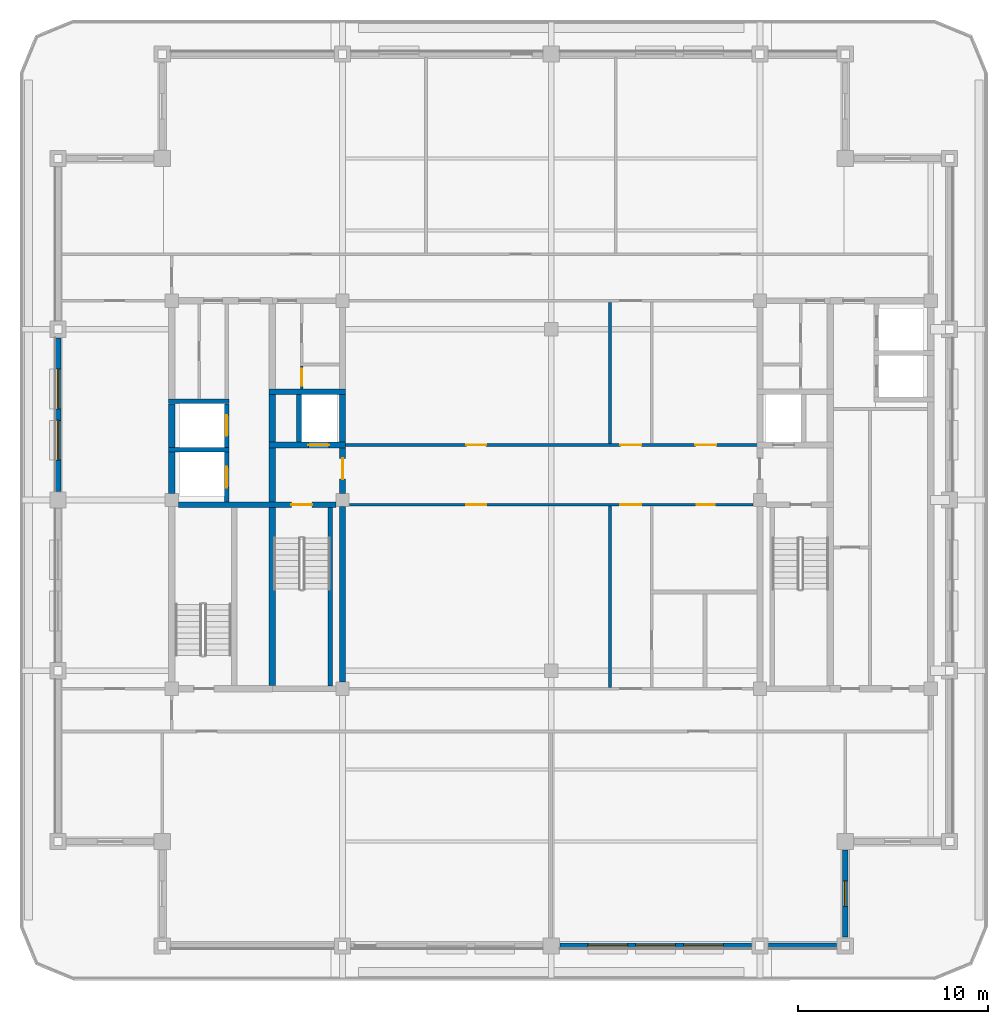
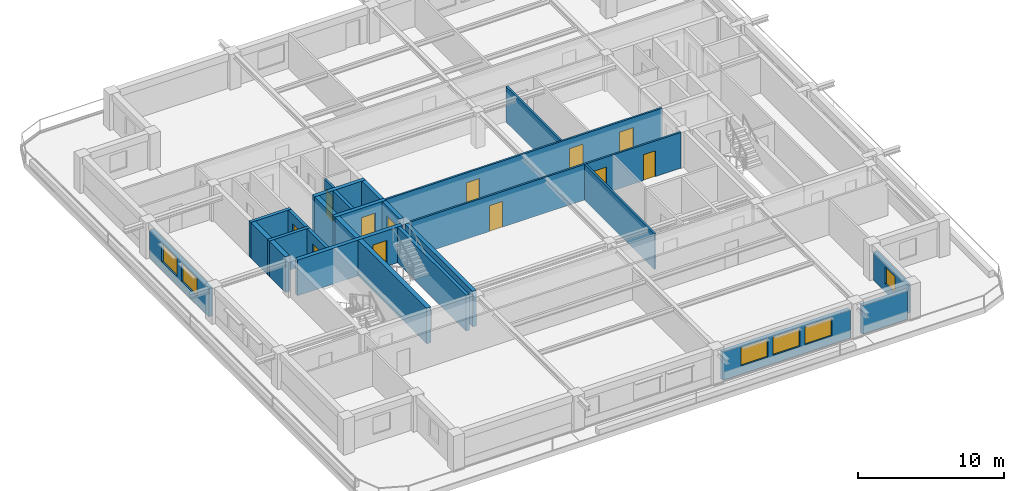
# One storey, part 3 of 11: 26 walls, 12 doors, 6 windows, 18 openings.
"""IFC4 building model written with IfcOpenShell, lengths in metres."""

from ifc_helpers import new_model, si_unit, direction, frame, frame_2d, origin, place, context, subcontext, project, spatial, rectangle, extrude, material, layer, layer_set, type_object, element, fill, save


model = new_model("IFC4")

# Units and contexts
model_context = context("Model", 3, precision=1e-05, world=origin(), true_north=direction((0.0, 1.0)))
body_context = subcontext(model_context, "Body", "Model", "MODEL_VIEW")
ifc_project = project(units=[si_unit("LENGTHUNIT", "METRE"), si_unit("AREAUNIT", "SQUARE_METRE"), si_unit("VOLUMEUNIT", "CUBIC_METRE"), si_unit("PLANEANGLEUNIT", "RADIAN"), si_unit("MASSUNIT", "GRAM", prefix="KILO")], contexts=[model_context])

# Site, building, storey
site_placement = place(None, origin())
site = spatial("IfcSite", under=ifc_project, at=site_placement, CompositionType="ELEMENT")
building_placement = place(site_placement, origin())
building = spatial("IfcBuilding", under=site, at=building_placement, Name="Zulmaris Gate Convention Tower", CompositionType="ELEMENT")
storey_placement = place(building_placement, frame((0.0, 0.0, 260.889892578125)))
storey = spatial("IfcBuildingStorey", under=building, at=storey_placement, Name="L69", CompositionType="ELEMENT", Elevation=260.889892578125)

# Walls
ifc_material_1 = material(Name="Concrete C50/60", Category="concrete")
ifc_layer_1 = layer(ifc_material_1, 0.25, Name="Concrete C50/60")
ifc_layer_set_1 = layer_set([ifc_layer_1], Name="Concrete C50/60")
wall_type_1 = type_object("IfcWallType", Name="CORE-250", PredefinedType="SOLIDWALL", material=ifc_layer_set_1)
for number, where, z_axis, x_axis, name in (
    (1, (-20.175048828125, 2.64990234375, 0.0), (0.0, 0.0, 1.0), (1.0, 0.0, 0.0), "WL-L69-007"),
    (2, (-20.175048828125, 5.199951171875, 0.0), (0.0, 0.0, 1.0), (1.0, 0.0, 0.0), "WL-L69-010"),
):
    element("IfcWall", number, at=place(storey_placement, frame(where, z_axis=z_axis, x_axis=x_axis)), inside=storey, type_object=wall_type_1, Name=name, PredefinedType="SOLIDWALL", context=body_context, shape_type="SweptSolid", body=[
        extrude(rectangle(XDim=3.199951171875, YDim=0.25, at=frame_2d((1.60009765625, 0.0))), origin(), (0.0, 0.0, 1.0), 2.97998046875),
    ])

# Wall, opening, door
wall_1_placement = place(storey_placement, frame((-17.10009765625, -0.097900390625, 0.0), z_axis=(0.0, 0.0, 1.0), x_axis=(0.0, 1.0, 0.0)))
wall_1 = element("IfcWall", 3, at=wall_1_placement, inside=storey, type_object=wall_type_1, Name="WL-L69-036", PredefinedType="SOLIDWALL", context=body_context, shape_type="SweptSolid", body=[
    extrude(rectangle(XDim=2.620849609375, YDim=0.25, at=frame_2d((1.310546875, 0.0))), origin(), (0.0, 0.0, 1.0), 2.97998046875),
])
opening_1_placement = place(wall_1_placement, frame((0.748046875, 0.0, 0.0)))
opening_1 = element("IfcOpeningElement", 4, at=opening_1_placement, cuts=wall_1, Name="Opening D-06", PredefinedType="OPENING", context=body_context, shape_type="SweptSolid", body=[
    extrude(rectangle(XDim=1.10009765625, YDim=2.199951171875, at=frame_2d((0.550048828125, 1.10009765625))), frame((0.0, 0.135009765625, 0.0), z_axis=(0.0, -1.0, 0.0), x_axis=(1.0, 0.0, 0.0)), (0.0, 0.0, 1.0), 0.27001953125),
])
ifc_material_2 = material(Name="Brushed Stainless Steel", Category="steel")
door_type_1 = type_object("IfcDoorType", Name="LD-1100", OperationType="NOTDEFINED", PredefinedType="DOOR", material=ifc_material_2)
door_1_placement = place(opening_1_placement, origin())
door_1 = element("IfcDoor", 5, at=door_1_placement, inside=storey, type_object=door_type_1, Name="L69 Lift Landing Door HP-03 14", OperationType="SLIDING_TO_LEFT", OverallHeight=2.199951171875, OverallWidth=1.10009765625, PredefinedType="DOOR", context=body_context, shape_type="SweptSolid", body=[
    extrude(rectangle(XDim=1.10009765625, YDim=2.199951171875, at=frame_2d((0.550048828125, 1.10009765625))), frame((0.0, 0.02490234375, 0.0), z_axis=(0.0, -1.0, 0.0), x_axis=(1.0, 0.0, 0.0)), (0.0, 0.0, 1.0), 0.050048828125),
])
fill(opening_1, door_1)

wall_2_placement = place(storey_placement, frame((-17.10009765625, 2.777099609375, 0.0), z_axis=(0.0, 0.0, 1.0), x_axis=(0.0, 1.0, 0.0)))
wall_2 = element("IfcWall", 6, at=wall_2_placement, inside=storey, type_object=wall_type_1, Name="WL-L69-037", PredefinedType="SOLIDWALL", context=body_context, shape_type="SweptSolid", body=[
    extrude(rectangle(XDim=2.2958984375, YDim=0.25, at=frame_2d((1.14794921875, 0.0))), origin(), (0.0, 0.0, 1.0), 2.97998046875),
])
opening_2_placement = place(wall_2_placement, frame((0.597900390625, 0.0, 0.0)))
opening_2 = element("IfcOpeningElement", 7, at=opening_2_placement, cuts=wall_2, Name="Opening D-06", PredefinedType="OPENING", context=body_context, shape_type="SweptSolid", body=[
    extrude(rectangle(XDim=1.10009765625, YDim=2.199951171875, at=frame_2d((0.550048828125, 1.10009765625))), frame((0.0, 0.135009765625, 0.0), z_axis=(0.0, -1.0, 0.0), x_axis=(1.0, 0.0, 0.0)), (0.0, 0.0, 1.0), 0.27001953125),
])
door_2_placement = place(opening_2_placement, origin())
door_2 = element("IfcDoor", 8, at=door_2_placement, inside=storey, type_object=door_type_1, Name="L69 Lift Landing Door HP-04 15", OperationType="SLIDING_TO_LEFT", OverallHeight=2.199951171875, OverallWidth=1.10009765625, PredefinedType="DOOR", context=body_context, shape_type="SweptSolid", body=[
    extrude(rectangle(XDim=1.10009765625, YDim=2.199951171875, at=frame_2d((0.550048828125, 1.10009765625))), frame((0.0, 0.02490234375, 0.0), z_axis=(0.0, -1.0, 0.0), x_axis=(1.0, 0.0, 0.0)), (0.0, 0.0, 1.0), 0.050048828125),
])
fill(opening_2, door_2)

# Walls
wall_3_placement = place(storey_placement, frame((-13.300048828125, 3.052001953125, 0.0), z_axis=(0.0, 0.0, 1.0), x_axis=(0.0, 1.0, 0.0)))
element("IfcWall", 9, at=wall_3_placement, inside=storey, type_object=wall_type_1, Name="WL-L69-043", PredefinedType="SOLIDWALL", context=body_context, shape_type="SweptSolid", body=[
    extrude(rectangle(XDim=2.49609375, YDim=0.25, at=frame_2d((1.248046875, 0.0))), origin(), (0.0, 0.0, 1.0), 2.97998046875),
])
wall_4_placement = place(storey_placement, frame((-11.64990234375, -9.798095703125, 0.0), z_axis=(0.0, 0.0, 1.0), x_axis=(0.0, 1.0, 0.0)))
element("IfcWall", 10, at=wall_4_placement, inside=storey, type_object=wall_type_1, Name="WL-L69-044", PredefinedType="SOLIDWALL", context=body_context, shape_type="SweptSolid", body=[
    extrude(rectangle(XDim=9.39599609375, YDim=0.25, at=frame_2d((4.697998046875, 0.0))), origin(), (0.0, 0.0, 1.0), 2.97998046875),
])

# Wall, opening, door
ifc_layer_2 = layer(ifc_material_1, 0.300048828125, Name="Concrete C50/60")
ifc_layer_set_2 = layer_set([ifc_layer_2], Name="Concrete C50/60")
wall_type_2 = type_object("IfcWallType", Name="CORE-300", PredefinedType="SHEAR", material=ifc_layer_set_2)
wall_5_placement = place(storey_placement, frame((-19.64599609375, -0.25, 0.0), z_axis=(0.0, 0.0, 1.0), x_axis=(1.0, 0.0, 0.0)))
wall_5 = element("IfcWall", 11, at=wall_5_placement, inside=storey, type_object=wall_type_2, Name="WL-L69-005", PredefinedType="SHEAR", context=body_context, shape_type="SweptSolid", body=[
    extrude(rectangle(XDim=8.2919921875, YDim=0.300048828125, at=frame_2d((4.14599609375, 0.0))), origin(), (0.0, 0.0, 1.0), 2.97998046875),
])
opening_3_placement = place(wall_5_placement, frame((5.946044921875, 0.0, 0.0)))
opening_3 = element("IfcOpeningElement", 12, at=opening_3_placement, cuts=wall_5, Name="Opening D-08", PredefinedType="OPENING", context=body_context, shape_type="SweptSolid", body=[
    extrude(rectangle(XDim=1.10009765625, YDim=2.14990234375, at=frame_2d((0.550048828125, 1.074951171875))), frame((0.0, 0.16015625, 0.0), z_axis=(0.0, -1.0, 0.0), x_axis=(1.0, 0.0, 0.0)), (0.0, 0.0, 1.0), 0.320068359375),
])
ifc_material_3 = material(Name="Fire-Rated Steel", Category="steel")
door_type_2 = type_object("IfcDoorType", Name="DR-1100-FD", OperationType="NOTDEFINED", PredefinedType="DOOR", material=ifc_material_3)
door_3_placement = place(opening_3_placement, origin())
door_3 = element("IfcDoor", 13, at=door_3_placement, inside=storey, type_object=door_type_2, Name="L69 Exit Stair ST-1 Door 01", OperationType="SINGLE_SWING_RIGHT", OverallHeight=2.14990234375, OverallWidth=1.10009765625, PredefinedType="DOOR", context=body_context, shape_type="SweptSolid", body=[
    extrude(rectangle(XDim=1.10009765625, YDim=2.14990234375, at=frame_2d((0.550048828125, 1.074951171875))), frame((0.0, 0.02490234375, 0.0), z_axis=(0.0, -1.0, 0.0), x_axis=(1.0, 0.0, 0.0)), (0.0, 0.0, 1.0), 0.050048828125),
])
fill(opening_3, door_3)

wall_6_placement = place(storey_placement, frame((-14.875, 2.89990234375, 0.0), z_axis=(0.0, 0.0, 1.0), x_axis=(1.0, 0.0, 0.0)))
wall_6 = element("IfcWall", 14, at=wall_6_placement, inside=storey, type_object=wall_type_2, Name="WL-L69-008", PredefinedType="SHEAR", context=body_context, shape_type="SweptSolid", body=[
    extrude(rectangle(XDim=4.02490234375, YDim=0.300048828125, at=frame_2d((2.012451171875, 0.0))), origin(), (0.0, 0.0, 1.0), 2.97998046875),
])
opening_4_placement = place(wall_6_placement, frame((2.074951171875, 0.0, 0.0)))
opening_4 = element("IfcOpeningElement", 15, at=opening_4_placement, cuts=wall_6, Name="Opening D-06", PredefinedType="OPENING", context=body_context, shape_type="SweptSolid", body=[
    extrude(rectangle(XDim=1.10009765625, YDim=2.199951171875, at=frame_2d((0.550048828125, 1.10009765625))), frame((0.0, 0.16015625, 0.0), z_axis=(0.0, -1.0, 0.0), x_axis=(1.0, 0.0, 0.0)), (0.0, 0.0, 1.0), 0.320068359375),
])
door_4_placement = place(opening_4_placement, origin())
door_4 = element("IfcDoor", 16, at=door_4_placement, inside=storey, type_object=door_type_1, Name="L69 Lift Landing Door LF-01 03", OperationType="SLIDING_TO_LEFT", OverallHeight=2.199951171875, OverallWidth=1.10009765625, PredefinedType="DOOR", context=body_context, shape_type="SweptSolid", body=[
    extrude(rectangle(XDim=1.10009765625, YDim=2.199951171875, at=frame_2d((0.550048828125, 1.10009765625))), frame((0.0, 0.02490234375, 0.0), z_axis=(0.0, -1.0, 0.0), x_axis=(1.0, 0.0, 0.0)), (0.0, 0.0, 1.0), 0.050048828125),
])
fill(opening_4, door_4)

# Walls
wall_7_placement = place(storey_placement, frame((-14.875, 5.699951171875, 0.0), z_axis=(0.0, 0.0, 1.0), x_axis=(1.0, 0.0, 0.0)))
element("IfcWall", 17, at=wall_7_placement, inside=storey, type_object=wall_type_2, Name="WL-L69-012", PredefinedType="SHEAR", context=body_context, shape_type="SweptSolid", body=[
    extrude(rectangle(XDim=4.02490234375, YDim=0.300048828125, at=frame_2d((2.012451171875, 0.0))), origin(), (0.0, 0.0, 1.0), 2.97998046875),
])
wall_8_placement = place(storey_placement, frame((-11.0, -9.595947265625, 0.0), z_axis=(0.0, 0.0, 1.0), x_axis=(0.0, 1.0, 0.0)))
element("IfcWall", 18, at=wall_8_placement, inside=storey, type_object=wall_type_2, Name="WL-L69-045", PredefinedType="SHEAR", context=body_context, shape_type="SweptSolid", body=[
    extrude(rectangle(XDim=9.241943359375, YDim=0.300048828125, at=frame_2d((4.62109375, 0.0))), origin(), (0.0, 0.0, 1.0), 2.97998046875),
])

# Wall, opening, door
wall_9_placement = place(storey_placement, frame((-11.0, 0.35400390625, 0.0), z_axis=(0.0, 0.0, 1.0), x_axis=(0.0, 1.0, 0.0)))
wall_9 = element("IfcWall", 19, at=wall_9_placement, inside=storey, type_object=wall_type_2, Name="WL-L69-046", PredefinedType="SHEAR", context=body_context, shape_type="SweptSolid", body=[
    extrude(rectangle(XDim=2.39404296875, YDim=0.300048828125, at=frame_2d((1.197021484375, 0.0))), origin(), (0.0, 0.0, 1.0), 2.97998046875),
])
opening_5_placement = place(wall_9_placement, frame((0.74609375, 0.0, 0.0)))
opening_5 = element("IfcOpeningElement", 20, at=opening_5_placement, cuts=wall_9, Name="Opening D-08", PredefinedType="OPENING", context=body_context, shape_type="SweptSolid", body=[
    extrude(rectangle(XDim=1.10009765625, YDim=2.14990234375, at=frame_2d((0.550048828125, 1.074951171875))), frame((0.0, 0.16015625, 0.0), z_axis=(0.0, -1.0, 0.0), x_axis=(1.0, 0.0, 0.0)), (0.0, 0.0, 1.0), 0.320068359375),
])
door_5_placement = place(opening_5_placement, origin())
door_5 = element("IfcDoor", 21, at=door_5_placement, inside=storey, type_object=door_type_2, Name="L69 West Firefighting Lobby Door 02", OperationType="SINGLE_SWING_LEFT", OverallHeight=2.14990234375, OverallWidth=1.10009765625, PredefinedType="DOOR", context=body_context, shape_type="SweptSolid", body=[
    extrude(rectangle(XDim=1.10009765625, YDim=2.14990234375, at=frame_2d((0.550048828125, 1.074951171875))), frame((0.0, 0.02490234375, 0.0), z_axis=(0.0, -1.0, 0.0), x_axis=(1.0, 0.0, 0.0)), (0.0, 0.0, 1.0), 0.050048828125),
])
fill(opening_5, door_5)

# Walls
wall_10_placement = place(storey_placement, frame((-11.0, 3.052001953125, 0.0), z_axis=(0.0, 0.0, 1.0), x_axis=(0.0, 1.0, 0.0)))
element("IfcWall", 22, at=wall_10_placement, inside=storey, type_object=wall_type_2, Name="WL-L69-047", PredefinedType="SHEAR", context=body_context, shape_type="SweptSolid", body=[
    extrude(rectangle(XDim=2.49609375, YDim=0.300048828125, at=frame_2d((1.248046875, 0.0))), origin(), (0.0, 0.0, 1.0), 2.97998046875),
])
ifc_material_4 = material(Name="Concrete C55/67", Category="concrete")
ifc_layer_3 = layer(ifc_material_4, 0.35009765625, Name="Concrete C55/67")
ifc_layer_set_3 = layer_set([ifc_layer_3], Name="Concrete C55/67")
wall_type_3 = type_object("IfcWallType", Name="CORE-350", PredefinedType="SHEAR", material=ifc_layer_set_3)
wall_11_placement = place(storey_placement, frame((-20.0, 0.35400390625, 0.0), z_axis=(0.0, 0.0, 1.0), x_axis=(0.0, 1.0, 0.0)))
element("IfcWall", 23, at=wall_11_placement, inside=storey, type_object=wall_type_3, Name="WL-L69-033", PredefinedType="SHEAR", context=body_context, shape_type="SweptSolid", body=[
    extrude(rectangle(XDim=2.1689453125, YDim=0.35009765625, at=frame_2d((1.08447265625, 0.0))), origin(), (0.0, 0.0, 1.0), 2.97998046875),
])
wall_12_placement = place(storey_placement, frame((-20.0, 2.777099609375, 0.0), z_axis=(0.0, 0.0, 1.0), x_axis=(0.0, 1.0, 0.0)))
element("IfcWall", 24, at=wall_12_placement, inside=storey, type_object=wall_type_3, Name="WL-L69-034", PredefinedType="SHEAR", context=body_context, shape_type="SweptSolid", body=[
    extrude(rectangle(XDim=2.2958984375, YDim=0.35009765625, at=frame_2d((1.14794921875, 0.0))), origin(), (0.0, 0.0, 1.0), 2.97998046875),
])
wall_13_placement = place(storey_placement, frame((-14.699951171875, -9.77294921875, 0.0), z_axis=(0.0, 0.0, 1.0), x_axis=(0.0, 1.0, 0.0)))
element("IfcWall", 25, at=wall_13_placement, inside=storey, type_object=wall_type_3, Name="WL-L69-039", PredefinedType="SHEAR", context=body_context, shape_type="SweptSolid", body=[
    extrude(rectangle(XDim=9.370849609375, YDim=0.35009765625, at=frame_2d((4.685546875, 0.0))), origin(), (0.0, 0.0, 1.0), 2.97998046875),
])
wall_14_placement = place(storey_placement, frame((-14.699951171875, -0.097900390625, 0.0), z_axis=(0.0, 0.0, 1.0), x_axis=(0.0, 1.0, 0.0)))
element("IfcWall", 26, at=wall_14_placement, inside=storey, type_object=wall_type_3, Name="WL-L69-040", PredefinedType="SHEAR", context=body_context, shape_type="SweptSolid", body=[
    extrude(rectangle(XDim=2.845947265625, YDim=0.35009765625, at=frame_2d((1.4228515625, 0.0))), origin(), (0.0, 0.0, 1.0), 2.97998046875),
])
wall_15_placement = place(storey_placement, frame((-14.699951171875, 3.052001953125, 0.0), z_axis=(0.0, 0.0, 1.0), x_axis=(0.0, 1.0, 0.0)))
element("IfcWall", 27, at=wall_15_placement, inside=storey, type_object=wall_type_3, Name="WL-L69-041", PredefinedType="SHEAR", context=body_context, shape_type="SweptSolid", body=[
    extrude(rectangle(XDim=2.49609375, YDim=0.35009765625, at=frame_2d((1.248046875, 0.0))), origin(), (0.0, 0.0, 1.0), 2.97998046875),
])

# Wall, openings, doors
ifc_material_5 = material(Name="Gypsum Metal Stud Partition")
ifc_layer_4 = layer(ifc_material_5, 0.14990234375, Name="Gypsum Metal Stud Partition")
ifc_layer_set_4 = layer_set([ifc_layer_4], Name="Gypsum Metal Stud Partition")
wall_type_4 = type_object("IfcWallType", Name="PART-150", PredefinedType="PARTITIONING", material=ifc_layer_set_4)
wall_16_placement = place(storey_placement, frame((-10.64404296875, -0.25, 0.0), z_axis=(0.0, 0.0, 1.0), x_axis=(1.0, 0.0, 0.0)))
wall_16 = element("IfcWall", 28, at=wall_16_placement, inside=storey, type_object=wall_type_4, Name="WL-L69-024", PredefinedType="PARTITIONING", context=body_context, shape_type="SweptSolid", body=[
    extrude(rectangle(XDim=21.2880859375, YDim=0.14990234375, at=frame_2d((10.64404296875, 0.0))), origin(), (0.0, 0.0, 1.0), 2.97998046875),
])
opening_6_placement = place(wall_16_placement, frame((14.2939453125, 0.0, 0.0)))
opening_6 = element("IfcOpeningElement", 29, at=opening_6_placement, cuts=wall_16, Name="Opening D-08", PredefinedType="OPENING", context=body_context, shape_type="SweptSolid", body=[
    extrude(rectangle(XDim=1.10009765625, YDim=2.14990234375, at=frame_2d((0.550048828125, 1.074951171875))), frame((0.0, 0.0849609375, 0.0), z_axis=(0.0, -1.0, 0.0), x_axis=(1.0, 0.0, 0.0)), (0.0, 0.0, 1.0), 0.169921875),
])
opening_7_placement = place(wall_16_placement, frame((6.1689453125, 0.0, 0.0)))
opening_7 = element("IfcOpeningElement", 30, at=opening_7_placement, cuts=wall_16, Name="Opening D-09", PredefinedType="OPENING", context=body_context, shape_type="SweptSolid", body=[
    extrude(rectangle(XDim=1.050048828125, YDim=2.14990234375, at=frame_2d((0.52490234375, 1.074951171875))), frame((0.0, 0.0849609375, 0.0), z_axis=(0.0, -1.0, 0.0), x_axis=(1.0, 0.0, 0.0)), (0.0, 0.0, 1.0), 0.169921875),
])
opening_8_placement = place(wall_16_placement, frame((18.319091796875, 0.0, 0.0)))
opening_8 = element("IfcOpeningElement", 31, at=opening_8_placement, cuts=wall_16, Name="Opening D-11", PredefinedType="OPENING", context=body_context, shape_type="SweptSolid", body=[
    extrude(rectangle(XDim=0.949951171875, YDim=2.14990234375, at=frame_2d((0.47509765625, 1.074951171875))), frame((0.0, 0.0849609375, 0.0), z_axis=(0.0, -1.0, 0.0), x_axis=(1.0, 0.0, 0.0)), (0.0, 0.0, 1.0), 0.169921875),
])
door_type_3 = type_object("IfcDoorType", Name="DR-1050-FD", OperationType="NOTDEFINED", PredefinedType="DOOR", material=ifc_material_3)
door_6_placement = place(opening_7_placement, origin())
door_6 = element("IfcDoor", 32, at=door_6_placement, inside=storey, type_object=door_type_3, Name="L69 Sky Library Door 36", OperationType="SINGLE_SWING_LEFT", OverallHeight=2.14990234375, OverallWidth=1.050048828125, PredefinedType="DOOR", context=body_context, shape_type="SweptSolid", body=[
    extrude(rectangle(XDim=1.050048828125, YDim=2.14990234375, at=frame_2d((0.52490234375, 1.074951171875))), frame((0.0, 0.02490234375, 0.0), z_axis=(0.0, -1.0, 0.0), x_axis=(1.0, 0.0, 0.0)), (0.0, 0.0, 1.0), 0.050048828125),
])
fill(opening_7, door_6)
door_7_placement = place(opening_6_placement, origin())
door_7 = element("IfcDoor", 33, at=door_7_placement, inside=storey, type_object=door_type_2, Name="L69 Exec Cross South Door 28", OperationType="SINGLE_SWING_LEFT", OverallHeight=2.14990234375, OverallWidth=1.10009765625, PredefinedType="DOOR", context=body_context, shape_type="SweptSolid", body=[
    extrude(rectangle(XDim=1.10009765625, YDim=2.14990234375, at=frame_2d((0.550048828125, 1.074951171875))), frame((0.0, 0.02490234375, 0.0), z_axis=(0.0, -1.0, 0.0), x_axis=(1.0, 0.0, 0.0)), (0.0, 0.0, 1.0), 0.050048828125),
])
fill(opening_6, door_7)
ifc_material_6 = material(Name="Fire-Rated Timber", Category="wood")
door_type_4 = type_object("IfcDoorType", Name="DR-950-FD", OperationType="NOTDEFINED", PredefinedType="DOOR", material=ifc_material_6)
door_8_placement = place(opening_8_placement, origin())
door_8 = element("IfcDoor", 34, at=door_8_placement, inside=storey, type_object=door_type_4, Name="L69 Public WC Door 37", OperationType="SINGLE_SWING_RIGHT", OverallHeight=2.14990234375, OverallWidth=0.949951171875, PredefinedType="DOOR", context=body_context, shape_type="SweptSolid", body=[
    extrude(rectangle(XDim=0.949951171875, YDim=2.14990234375, at=frame_2d((0.47509765625, 1.074951171875))), frame((0.0, 0.02490234375, 0.0), z_axis=(0.0, -1.0, 0.0), x_axis=(1.0, 0.0, 0.0)), (0.0, 0.0, 1.0), 0.050048828125),
])
fill(opening_8, door_8)

wall_17_placement = place(storey_placement, frame((-11.0, 2.89990234375, 0.0), z_axis=(0.0, 0.0, 1.0), x_axis=(1.0, 0.0, 0.0)))
wall_17 = element("IfcWall", 35, at=wall_17_placement, inside=storey, type_object=wall_type_4, Name="WL-L69-025", PredefinedType="PARTITIONING", context=body_context, shape_type="SweptSolid", body=[
    extrude(rectangle(XDim=22.0, YDim=0.14990234375, at=frame_2d((11.0, 0.0))), origin(), (0.0, 0.0, 1.0), 2.97998046875),
])
opening_9_placement = place(wall_17_placement, frame((14.64990234375, 0.0, 0.0)))
opening_9 = element("IfcOpeningElement", 36, at=opening_9_placement, cuts=wall_17, Name="Opening D-08", PredefinedType="OPENING", context=body_context, shape_type="SweptSolid", body=[
    extrude(rectangle(XDim=1.10009765625, YDim=2.14990234375, at=frame_2d((0.550048828125, 1.074951171875))), frame((0.0, 0.0849609375, 0.0), z_axis=(0.0, -1.0, 0.0), x_axis=(1.0, 0.0, 0.0)), (0.0, 0.0, 1.0), 0.169921875),
])
opening_10_placement = place(wall_17_placement, frame((6.52490234375, 0.0, 0.0)))
opening_10 = element("IfcOpeningElement", 37, at=opening_10_placement, cuts=wall_17, Name="Opening D-09", PredefinedType="OPENING", context=body_context, shape_type="SweptSolid", body=[
    extrude(rectangle(XDim=1.050048828125, YDim=2.14990234375, at=frame_2d((0.52490234375, 1.074951171875))), frame((0.0, 0.0849609375, 0.0), z_axis=(0.0, -1.0, 0.0), x_axis=(1.0, 0.0, 0.0)), (0.0, 0.0, 1.0), 0.169921875),
])
opening_11_placement = place(wall_17_placement, frame((18.60009765625, 0.0, 0.0)))
opening_11 = element("IfcOpeningElement", 38, at=opening_11_placement, cuts=wall_17, Name="Opening D-08", PredefinedType="OPENING", context=body_context, shape_type="SweptSolid", body=[
    extrude(rectangle(XDim=1.10009765625, YDim=2.14990234375, at=frame_2d((0.550048828125, 1.074951171875))), frame((0.0, 0.0849609375, 0.0), z_axis=(0.0, -1.0, 0.0), x_axis=(1.0, 0.0, 0.0)), (0.0, 0.0, 1.0), 0.169921875),
])
door_9_placement = place(opening_10_placement, origin())
door_9 = element("IfcDoor", 39, at=door_9_placement, inside=storey, type_object=door_type_3, Name="L69 Reception Door 34", OperationType="SINGLE_SWING_LEFT", OverallHeight=2.14990234375, OverallWidth=1.050048828125, PredefinedType="DOOR", context=body_context, shape_type="SweptSolid", body=[
    extrude(rectangle(XDim=1.050048828125, YDim=2.14990234375, at=frame_2d((0.52490234375, 1.074951171875))), frame((0.0, 0.02490234375, 0.0), z_axis=(0.0, -1.0, 0.0), x_axis=(1.0, 0.0, 0.0)), (0.0, 0.0, 1.0), 0.050048828125),
])
fill(opening_10, door_9)
door_10_placement = place(opening_9_placement, origin())
door_10 = element("IfcDoor", 40, at=door_10_placement, inside=storey, type_object=door_type_2, Name="L69 Exec Cross North Door 27", OperationType="SINGLE_SWING_RIGHT", OverallHeight=2.14990234375, OverallWidth=1.10009765625, PredefinedType="DOOR", context=body_context, shape_type="SweptSolid", body=[
    extrude(rectangle(XDim=1.10009765625, YDim=2.14990234375, at=frame_2d((0.550048828125, 1.074951171875))), frame((0.0, 0.02490234375, 0.0), z_axis=(0.0, -1.0, 0.0), x_axis=(1.0, 0.0, 0.0)), (0.0, 0.0, 1.0), 0.050048828125),
])
fill(opening_9, door_10)
door_11_placement = place(opening_11_placement, origin())
door_11 = element("IfcDoor", 41, at=door_11_placement, inside=storey, type_object=door_type_2, Name="L69 Townhall Forum Door 35", OperationType="SINGLE_SWING_RIGHT", OverallHeight=2.14990234375, OverallWidth=1.10009765625, PredefinedType="DOOR", context=body_context, shape_type="SweptSolid", body=[
    extrude(rectangle(XDim=1.10009765625, YDim=2.14990234375, at=frame_2d((0.550048828125, 1.074951171875))), frame((0.0, 0.02490234375, 0.0), z_axis=(0.0, -1.0, 0.0), x_axis=(1.0, 0.0, 0.0)), (0.0, 0.0, 1.0), 0.050048828125),
])
fill(opening_11, door_11)

# Wall, opening, door
wall_18_placement = place(storey_placement, frame((-13.14990234375, 5.85302734375, 0.0), z_axis=(0.0, 0.0, 1.0), x_axis=(0.0, 1.0, 0.0)))
wall_18 = element("IfcWall", 42, at=wall_18_placement, inside=storey, type_object=wall_type_4, Name="WL-L69-069", PredefinedType="PARTITIONING", context=body_context, shape_type="SweptSolid", body=[
    extrude(rectangle(XDim=1.218994140625, YDim=0.14990234375, at=frame_2d((0.609375, 0.0))), origin(), (0.0, 0.0, 1.0), 2.97998046875),
])
opening_12_placement = place(wall_18_placement, frame((0.1689453125, 0.0, 0.0)))
opening_12 = element("IfcOpeningElement", 43, at=opening_12_placement, cuts=wall_18, Name="Opening D-12", PredefinedType="OPENING", context=body_context, shape_type="SweptSolid", body=[
    extrude(rectangle(XDim=0.89990234375, YDim=2.14990234375, at=frame_2d((0.449951171875, 1.074951171875))), frame((0.0, 0.0849609375, 0.0), z_axis=(0.0, -1.0, 0.0), x_axis=(1.0, 0.0, 0.0)), (0.0, 0.0, 1.0), 0.169921875),
])
door_type_5 = type_object("IfcDoorType", Name="DR-900-FD", OperationType="NOTDEFINED", PredefinedType="DOOR", material=ifc_material_6)
door_12_placement = place(opening_12_placement, origin())
door_12 = element("IfcDoor", 44, at=door_12_placement, inside=storey, type_object=door_type_5, Name="L69 Stationery Closet Door 08", OperationType="SINGLE_SWING_LEFT", OverallHeight=2.14990234375, OverallWidth=0.89990234375, PredefinedType="DOOR", context=body_context, shape_type="SweptSolid", body=[
    extrude(rectangle(XDim=0.89990234375, YDim=2.14990234375, at=frame_2d((0.449951171875, 1.074951171875))), frame((0.0, 0.02490234375, 0.0), z_axis=(0.0, -1.0, 0.0), x_axis=(1.0, 0.0, 0.0)), (0.0, 0.0, 1.0), 0.050048828125),
])
fill(opening_12, door_12)

# Walls
wall_19_placement = place(storey_placement, frame((3.10009765625, -9.8720703125, 0.0), z_axis=(0.0, 0.0, 1.0), x_axis=(0.0, 1.0, 0.0)))
element("IfcWall", 45, at=wall_19_placement, inside=storey, type_object=wall_type_4, Name="WL-L69-073", PredefinedType="PARTITIONING", context=body_context, shape_type="SweptSolid", body=[
    extrude(rectangle(XDim=9.544189453125, YDim=0.14990234375, at=frame_2d((4.77197265625, 0.0))), origin(), (0.0, 0.0, 1.0), 2.97998046875),
])
wall_20_placement = place(storey_placement, frame((3.10009765625, 2.97802734375, 0.0), z_axis=(0.0, 0.0, 1.0), x_axis=(0.0, 1.0, 0.0)))
element("IfcWall", 46, at=wall_20_placement, inside=storey, type_object=wall_type_4, Name="WL-L69-074", PredefinedType="PARTITIONING", context=body_context, shape_type="SweptSolid", body=[
    extrude(rectangle(XDim=7.444091796875, YDim=0.14990234375, at=frame_2d((3.72216796875, 0.0))), origin(), (0.0, 0.0, 1.0), 2.97998046875),
])

# Wall, opening, window
ifc_material_7 = material(Name="Precast concrete C40/50", Category="concrete")
ifc_layer_5 = layer(ifc_material_7, 0.300048828125, Name="Precast concrete C40/50")
ifc_layer_set_5 = layer_set([ifc_layer_5], Name="Precast concrete C40/50")
wall_type_5 = type_object("IfcWallType", Name="PRECAST-PIER-300", PredefinedType="STANDARD", material=ifc_layer_set_5)
wall_21_placement = place(storey_placement, frame((15.5, -23.044921875, 0.0), z_axis=(0.0, 0.0, 1.0), x_axis=(0.0, 1.0, 0.0)))
wall_21 = element("IfcWall", 47, at=wall_21_placement, inside=storey, type_object=wall_type_5, Name="EW-L69-NOTCH-SE1_0", PredefinedType="STANDARD", context=body_context, shape_type="SweptSolid", body=[
    extrude(rectangle(XDim=4.58984375, YDim=0.300048828125, at=frame_2d((2.294921875, 0.0))), origin(), (0.0, 0.0, 1.0), 2.3720703125),
])
opening_13_placement = place(wall_21_placement, frame((1.6201171875, 0.0, 0.679931640625)))
opening_13 = element("IfcOpeningElement", 48, at=opening_13_placement, cuts=wall_21, Name="Opening W-10", PredefinedType="OPENING", context=body_context, shape_type="SweptSolid", body=[
    extrude(rectangle(XDim=1.35009765625, YDim=1.419921875, at=frame_2d((0.675048828125, 0.7099609375))), frame((0.0, 0.16015625, 0.0), z_axis=(0.0, -1.0, 0.0), x_axis=(1.0, 0.0, 0.0)), (0.0, 0.0, 1.0), 0.320068359375),
])
ifc_material_8 = material(Name="Low-E Laminated Double Glazing in Aluminium Frame", Category="aluminium")
window_type_1 = type_object("IfcWindowType", Name="WIN-1350x2000", PartitioningType="SINGLE_PANEL", PredefinedType="WINDOW", material=ifc_material_8)
window_1_placement = place(opening_13_placement, origin())
window_1 = element("IfcWindow", 49, at=window_1_placement, inside=storey, type_object=window_type_1, Name="WN-EW-L69-NOTCH-SE1_0", OverallHeight=1.419921875, OverallWidth=1.35009765625, PartitioningType="SINGLE_PANEL", PredefinedType="WINDOW", context=body_context, shape_type="SweptSolid", body=[
    extrude(rectangle(XDim=1.35009765625, YDim=1.419921875, at=frame_2d((0.675048828125, 0.7099609375))), frame((0.0, 0.030029296875, 0.0), z_axis=(0.0, -1.0, 0.0), x_axis=(1.0, 0.0, 0.0)), (0.0, 0.0, 1.0), 0.06005859375),
])
fill(opening_13, window_1)

# Wall, openings, windows
wall_22_placement = place(storey_placement, frame((0.455078125, -23.5, 0.0), z_axis=(0.0, 0.0, 1.0), x_axis=(1.0, 0.0, 0.0)))
wall_22 = element("IfcWall", 50, at=wall_22_placement, inside=storey, type_object=wall_type_5, Name="EW-L69-S-2_0", PredefinedType="STANDARD", context=body_context, shape_type="SweptSolid", body=[
    extrude(rectangle(XDim=10.08984375, YDim=0.300048828125, at=frame_2d((5.044921875, 0.0))), origin(), (0.0, 0.0, 1.0), 2.3720703125),
])
opening_14_placement = place(wall_22_placement, frame((1.471923828125, 0.0, 0.699951171875)))
opening_14 = element("IfcOpeningElement", 51, at=opening_14_placement, cuts=wall_22, Name="Opening W-05", PredefinedType="OPENING", context=body_context, shape_type="SweptSolid", body=[
    extrude(rectangle(XDim=2.10009765625, YDim=1.5, at=frame_2d((1.050048828125, 0.75))), frame((0.0, 0.16015625, 0.0), z_axis=(0.0, -1.0, 0.0), x_axis=(1.0, 0.0, 0.0)), (0.0, 0.0, 1.0), 0.320068359375),
])
opening_15_placement = place(wall_22_placement, frame((3.9951171875, 0.0, 0.699951171875)))
opening_15 = element("IfcOpeningElement", 52, at=opening_15_placement, cuts=wall_22, Name="Opening W-05", PredefinedType="OPENING", context=body_context, shape_type="SweptSolid", body=[
    extrude(rectangle(XDim=2.10009765625, YDim=1.5, at=frame_2d((1.050048828125, 0.75))), frame((0.0, 0.16015625, 0.0), z_axis=(0.0, -1.0, 0.0), x_axis=(1.0, 0.0, 0.0)), (0.0, 0.0, 1.0), 0.320068359375),
])
opening_16_placement = place(wall_22_placement, frame((6.51806640625, 0.0, 0.699951171875)))
opening_16 = element("IfcOpeningElement", 53, at=opening_16_placement, cuts=wall_22, Name="Opening W-05", PredefinedType="OPENING", context=body_context, shape_type="SweptSolid", body=[
    extrude(rectangle(XDim=2.10009765625, YDim=1.5, at=frame_2d((1.050048828125, 0.75))), frame((0.0, 0.16015625, 0.0), z_axis=(0.0, -1.0, 0.0), x_axis=(1.0, 0.0, 0.0)), (0.0, 0.0, 1.0), 0.320068359375),
])
window_type_2 = type_object("IfcWindowType", Name="WIN-2100x2400", PartitioningType="SINGLE_PANEL", PredefinedType="WINDOW", material=ifc_material_8)
window_2_placement = place(opening_14_placement, origin())
window_2 = element("IfcWindow", 54, at=window_2_placement, inside=storey, type_object=window_type_2, Name="WN-EW-L69-S-2_0-1", OverallHeight=1.5, OverallWidth=2.10009765625, PartitioningType="SINGLE_PANEL", PredefinedType="WINDOW", context=body_context, shape_type="SweptSolid", body=[
    extrude(rectangle(XDim=2.10009765625, YDim=1.5, at=frame_2d((1.050048828125, 0.75))), frame((0.0, 0.030029296875, 0.0), z_axis=(0.0, -1.0, 0.0), x_axis=(1.0, 0.0, 0.0)), (0.0, 0.0, 1.0), 0.06005859375),
])
fill(opening_14, window_2)
window_3_placement = place(opening_15_placement, origin())
window_3 = element("IfcWindow", 55, at=window_3_placement, inside=storey, type_object=window_type_2, Name="WN-EW-L69-S-2_0-2", OverallHeight=1.5, OverallWidth=2.10009765625, PartitioningType="SINGLE_PANEL", PredefinedType="WINDOW", context=body_context, shape_type="SweptSolid", body=[
    extrude(rectangle(XDim=2.10009765625, YDim=1.5, at=frame_2d((1.050048828125, 0.75))), frame((0.0, 0.030029296875, 0.0), z_axis=(0.0, -1.0, 0.0), x_axis=(1.0, 0.0, 0.0)), (0.0, 0.0, 1.0), 0.06005859375),
])
fill(opening_15, window_3)
window_4_placement = place(opening_16_placement, origin())
window_4 = element("IfcWindow", 56, at=window_4_placement, inside=storey, type_object=window_type_2, Name="WN-EW-L69-S-2_0-3", OverallHeight=1.5, OverallWidth=2.10009765625, PartitioningType="SINGLE_PANEL", PredefinedType="WINDOW", context=body_context, shape_type="SweptSolid", body=[
    extrude(rectangle(XDim=2.10009765625, YDim=1.5, at=frame_2d((1.050048828125, 0.75))), frame((0.0, 0.030029296875, 0.0), z_axis=(0.0, -1.0, 0.0), x_axis=(1.0, 0.0, 0.0)), (0.0, 0.0, 1.0), 0.06005859375),
])
fill(opening_16, window_4)

# Wall
wall_23_placement = place(storey_placement, frame((11.455078125, -23.5, 0.0), z_axis=(0.0, 0.0, 1.0), x_axis=(1.0, 0.0, 0.0)))
element("IfcWall", 57, at=wall_23_placement, inside=storey, type_object=wall_type_5, Name="EW-L69-S-3_0", PredefinedType="STANDARD", context=body_context, shape_type="SweptSolid", body=[
    extrude(rectangle(XDim=3.58984375, YDim=0.300048828125, at=frame_2d((1.794921875, 0.0))), origin(), (0.0, 0.0, 1.0), 2.3720703125),
])

# Wall, openings, windows
wall_24_placement = place(storey_placement, frame((-26.0, 8.544921875, 0.0), z_axis=(0.0, 0.0, 1.0), x_axis=(0.0, -1.0, 0.0)))
wall_24 = element("IfcWall", 58, at=wall_24_placement, inside=storey, type_object=wall_type_5, Name="EW-L69-W-2_0", PredefinedType="STANDARD", context=body_context, shape_type="SweptSolid", body=[
    extrude(rectangle(XDim=8.08984375, YDim=0.300048828125, at=frame_2d((4.044921875, 0.0))), origin(), (0.0, 0.0, 1.0), 2.3720703125),
])
opening_17_placement = place(wall_24_placement, frame((1.64697265625, 0.0, 0.699951171875)))
opening_17 = element("IfcOpeningElement", 59, at=opening_17_placement, cuts=wall_24, Name="Opening W-05", PredefinedType="OPENING", context=body_context, shape_type="SweptSolid", body=[
    extrude(rectangle(XDim=2.10009765625, YDim=1.5, at=frame_2d((1.050048828125, 0.75))), frame((0.0, 0.16015625, 0.0), z_axis=(0.0, -1.0, 0.0), x_axis=(1.0, 0.0, 0.0)), (0.0, 0.0, 1.0), 0.320068359375),
])
opening_18_placement = place(wall_24_placement, frame((4.343017578125, 0.0, 0.699951171875)))
opening_18 = element("IfcOpeningElement", 60, at=opening_18_placement, cuts=wall_24, Name="Opening W-05", PredefinedType="OPENING", context=body_context, shape_type="SweptSolid", body=[
    extrude(rectangle(XDim=2.10009765625, YDim=1.5, at=frame_2d((1.050048828125, 0.75))), frame((0.0, 0.16015625, 0.0), z_axis=(0.0, -1.0, 0.0), x_axis=(1.0, 0.0, 0.0)), (0.0, 0.0, 1.0), 0.320068359375),
])
window_5_placement = place(opening_17_placement, origin())
window_5 = element("IfcWindow", 61, at=window_5_placement, inside=storey, type_object=window_type_2, Name="WN-EW-L69-W-2_0-1", OverallHeight=1.5, OverallWidth=2.10009765625, PartitioningType="SINGLE_PANEL", PredefinedType="WINDOW", context=body_context, shape_type="SweptSolid", body=[
    extrude(rectangle(XDim=2.10009765625, YDim=1.5, at=frame_2d((1.050048828125, 0.75))), frame((0.0, 0.030029296875, 0.0), z_axis=(0.0, -1.0, 0.0), x_axis=(1.0, 0.0, 0.0)), (0.0, 0.0, 1.0), 0.06005859375),
])
fill(opening_17, window_5)
window_6_placement = place(opening_18_placement, origin())
window_6 = element("IfcWindow", 62, at=window_6_placement, inside=storey, type_object=window_type_2, Name="WN-EW-L69-W-2_0-2", OverallHeight=1.5, OverallWidth=2.10009765625, PartitioningType="SINGLE_PANEL", PredefinedType="WINDOW", context=body_context, shape_type="SweptSolid", body=[
    extrude(rectangle(XDim=2.10009765625, YDim=1.5, at=frame_2d((1.050048828125, 0.75))), frame((0.0, 0.030029296875, 0.0), z_axis=(0.0, -1.0, 0.0), x_axis=(1.0, 0.0, 0.0)), (0.0, 0.0, 1.0), 0.06005859375),
])
fill(opening_18, window_6)

save(model, "model.ifc")
